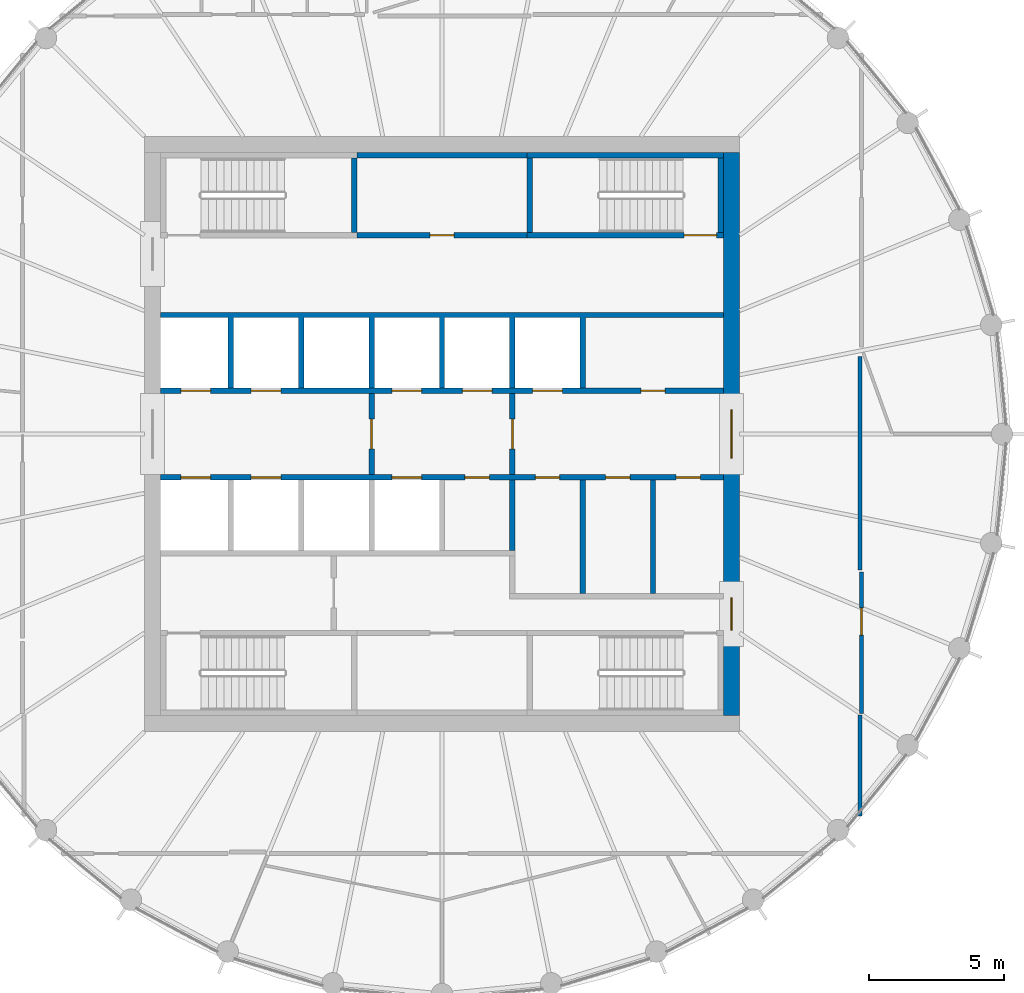
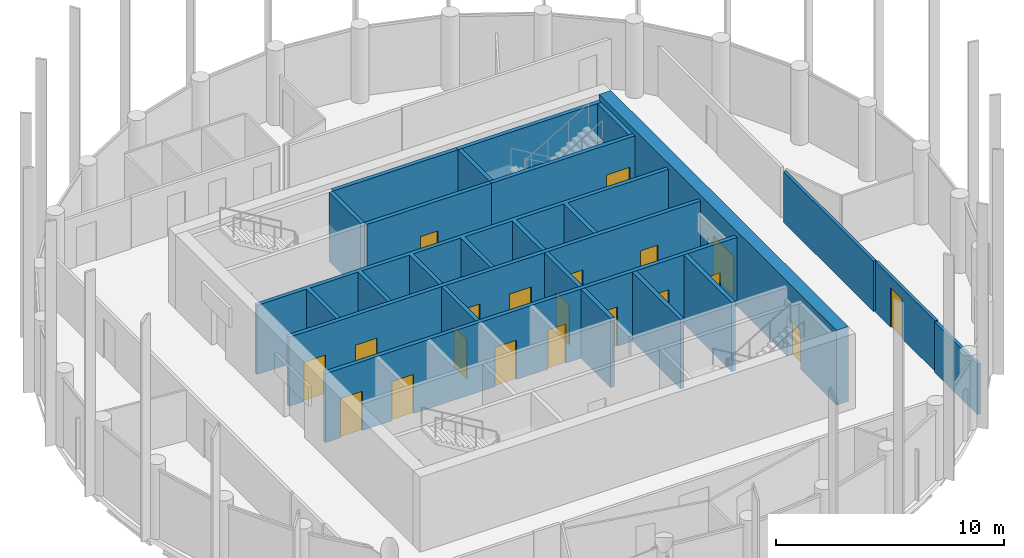
# One storey, part 5 of 7: 20 doors, 19 walls, 20 openings.
"""IFC4 building model written with IfcOpenShell, lengths in metres."""

from ifc_helpers import new_model, si_unit, direction, frame, frame_2d, origin, place, context, subcontext, project, spatial, polyline, rectangle, outline, extrude, material, layer, layer_set, type_object, element, fill, save


model = new_model("IFC4")

# Units and contexts
model_context = context("Model", 3, precision=1e-05, world=origin(), true_north=direction((0.0, 1.0)))
body_context = subcontext(model_context, "Body", "Model", "MODEL_VIEW")
ifc_project = project(units=[si_unit("LENGTHUNIT", "METRE"), si_unit("AREAUNIT", "SQUARE_METRE"), si_unit("VOLUMEUNIT", "CUBIC_METRE"), si_unit("PLANEANGLEUNIT", "RADIAN"), si_unit("MASSUNIT", "GRAM", prefix="KILO")], contexts=[model_context])

# Site, building, storey
site_placement = place(None, origin())
site = spatial("IfcSite", under=ifc_project, at=site_placement, CompositionType="ELEMENT")
building_placement = place(site_placement, origin())
building = spatial("IfcBuilding", under=site, at=building_placement, Name="Corvane Civic Tower", CompositionType="ELEMENT")
storey_placement = place(building_placement, frame((0.0, 0.0, 368.5)))
storey = spatial("IfcBuildingStorey", under=building, at=storey_placement, Name="L88", CompositionType="ELEMENT", Elevation=368.5)

# Wall, openings, doors
ifc_material_1 = material(Name="Concrete C40/50", Category="concrete")
ifc_layer_1 = layer(ifc_material_1, 0.60009765625)
ifc_layer_set_1 = layer_set([ifc_layer_1], Name="Concrete C40/50")
wall_type_1 = type_object("IfcWallType", Name="CORE WALL 600 C40/50", PredefinedType="SHEAR", material=ifc_layer_set_1)
wall_1_placement = place(storey_placement, frame((10.699951171875, -10.39990234375, 0.0), z_axis=(0.0, 0.0, 1.0), x_axis=(0.0, 1.0, 0.0)))
wall_1 = element("IfcWall", 1, at=wall_1_placement, inside=storey, type_object=wall_type_1, Name="W-L88-core-E", PredefinedType="SHEAR", context=body_context, shape_type="SweptSolid", body=[
    extrude(rectangle(XDim=20.7998046875, YDim=0.60009765625, at=frame_2d((10.39990234375, 0.0))), origin(), (0.0, 0.0, 1.0), 4.0),
])
opening_1_placement = place(wall_1_placement, frame((9.5, 0.0, 0.0)))
opening_1 = element("IfcOpeningElement", 2, at=opening_1_placement, cuts=wall_1, Name="Opening L88.C16", PredefinedType="OPENING", context=body_context, shape_type="SweptSolid", body=[
    extrude(rectangle(XDim=1.800048828125, YDim=2.10009765625, at=frame_2d((0.89990234375, 1.050048828125))), frame((0.0, 0.31005859375, 0.0), z_axis=(0.0, -1.0, 0.0), x_axis=(1.0, 0.0, 0.0)), (0.0, 0.0, 1.0), 0.6201171875),
])
opening_2_placement = place(wall_1_placement, frame((3.14990234375, 0.0, 0.0)))
opening_2 = element("IfcOpeningElement", 3, at=opening_2_placement, cuts=wall_1, Name="Opening L88.C18", PredefinedType="OPENING", context=body_context, shape_type="SweptSolid", body=[
    extrude(rectangle(XDim=1.199951171875, YDim=2.10009765625, at=frame_2d((0.60009765625, 1.050048828125))), frame((0.0, 0.31005859375, 0.0), z_axis=(0.0, -1.0, 0.0), x_axis=(1.0, 0.0, 0.0)), (0.0, 0.0, 1.0), 0.6201171875),
])
ifc_material_2 = material(Name="Steel fire door leaf", Category="steel")
door_type_1 = type_object("IfcDoorType", Name="CR-DOOR-CORE-1800", OperationType="DOUBLE_DOOR_SINGLE_SWING", PredefinedType="DOOR", material=ifc_material_2)
door_1_placement = place(opening_1_placement, origin())
door_1 = element("IfcDoor", 4, at=door_1_placement, inside=storey, type_object=door_type_1, Name="L88 door", OperationType="DOUBLE_DOOR_SINGLE_SWING", OverallHeight=2.10009765625, OverallWidth=1.800048828125, PredefinedType="DOOR", context=body_context, shape_type="SweptSolid", body=[
    extrude(rectangle(XDim=1.800048828125, YDim=2.10009765625, at=frame_2d((0.89990234375, 1.050048828125))), frame((0.0, 0.02490234375, 0.0), z_axis=(0.0, -1.0, 0.0), x_axis=(1.0, 0.0, 0.0)), (0.0, 0.0, 1.0), 0.050048828125),
])
fill(opening_1, door_1)
door_2_placement = place(opening_2_placement, origin())
door_2 = element("IfcDoor", 5, at=door_2_placement, inside=storey, type_object=door_type_1, Name="L88 door", OperationType="DOUBLE_DOOR_SINGLE_SWING", OverallHeight=2.10009765625, OverallWidth=1.199951171875, PredefinedType="DOOR", context=body_context, shape_type="SweptSolid", body=[
    extrude(rectangle(XDim=1.199951171875, YDim=2.10009765625, at=frame_2d((0.60009765625, 1.050048828125))), frame((0.0, 0.02490234375, 0.0), z_axis=(0.0, -1.0, 0.0), x_axis=(1.0, 0.0, 0.0)), (0.0, 0.0, 1.0), 0.050048828125),
])
fill(opening_2, door_2)

ifc_material_3 = material(Name="Concrete C30/37", Category="concrete")
ifc_layer_2 = layer(ifc_material_3, 0.199951171875)
ifc_layer_set_2 = layer_set([ifc_layer_2], Name="Concrete C30/37")
wall_type_2 = type_object("IfcWallType", Name="CR-WALL-200", PredefinedType="PARTITIONING", material=ifc_layer_set_2)
wall_2_placement = place(storey_placement, frame((-10.39990234375, -1.60009765625, 0.0), z_axis=(0.0, 0.0, 1.0), x_axis=(1.0, 0.0, 0.0)))
wall_2 = element("IfcWall", 6, at=wall_2_placement, inside=storey, type_object=wall_type_2, Name="L88 lift shaft wall", PredefinedType="PARTITIONING", context=body_context, shape_type="SweptSolid", body=[
    extrude(rectangle(XDim=20.7998046875, YDim=0.199951171875, at=frame_2d((10.39990234375, 0.0))), origin(), (0.0, 0.0, 1.0), 3.699951171875),
])
opening_3_placement = place(wall_2_placement, frame((0.75, 0.0, 0.0)))
opening_3 = element("IfcOpeningElement", 7, at=opening_3_placement, cuts=wall_2, Name="Opening LD", PredefinedType="OPENING", context=body_context, shape_type="SweptSolid", body=[
    extrude(rectangle(XDim=1.10009765625, YDim=2.10009765625, at=frame_2d((0.550048828125, 1.050048828125))), frame((0.0, 0.10986328125, 0.0), z_axis=(0.0, -1.0, 0.0), x_axis=(1.0, 0.0, 0.0)), (0.0, 0.0, 1.0), 0.219970703125),
])
opening_4_placement = place(wall_2_placement, frame((3.35009765625, 0.0, 0.0)))
opening_4 = element("IfcOpeningElement", 8, at=opening_4_placement, cuts=wall_2, Name="Opening LD", PredefinedType="OPENING", context=body_context, shape_type="SweptSolid", body=[
    extrude(rectangle(XDim=1.10009765625, YDim=2.10009765625, at=frame_2d((0.550048828125, 1.050048828125))), frame((0.0, 0.10986328125, 0.0), z_axis=(0.0, -1.0, 0.0), x_axis=(1.0, 0.0, 0.0)), (0.0, 0.0, 1.0), 0.219970703125),
])
opening_5_placement = place(wall_2_placement, frame((8.550048828125, 0.0, 0.0)))
opening_5 = element("IfcOpeningElement", 9, at=opening_5_placement, cuts=wall_2, Name="Opening LD", PredefinedType="OPENING", context=body_context, shape_type="SweptSolid", body=[
    extrude(rectangle(XDim=1.10009765625, YDim=2.10009765625, at=frame_2d((0.550048828125, 1.050048828125))), frame((0.0, 0.10986328125, 0.0), z_axis=(0.0, -1.0, 0.0), x_axis=(1.0, 0.0, 0.0)), (0.0, 0.0, 1.0), 0.219970703125),
])
opening_6_placement = place(wall_2_placement, frame((11.25, 0.0, 0.0)))
opening_6 = element("IfcOpeningElement", 10, at=opening_6_placement, cuts=wall_2, Name="Opening L88.C02", PredefinedType="OPENING", context=body_context, shape_type="SweptSolid", body=[
    extrude(rectangle(XDim=0.89990234375, YDim=2.10009765625, at=frame_2d((0.449951171875, 1.050048828125))), frame((0.0, 0.10986328125, 0.0), z_axis=(0.0, -1.0, 0.0), x_axis=(1.0, 0.0, 0.0)), (0.0, 0.0, 1.0), 0.219970703125),
])
opening_7_placement = place(wall_2_placement, frame((13.85009765625, 0.0, 0.0)))
opening_7 = element("IfcOpeningElement", 11, at=opening_7_placement, cuts=wall_2, Name="Opening L88.C03", PredefinedType="OPENING", context=body_context, shape_type="SweptSolid", body=[
    extrude(rectangle(XDim=0.89990234375, YDim=2.10009765625, at=frame_2d((0.449951171875, 1.050048828125))), frame((0.0, 0.10986328125, 0.0), z_axis=(0.0, -1.0, 0.0), x_axis=(1.0, 0.0, 0.0)), (0.0, 0.0, 1.0), 0.219970703125),
])
opening_8_placement = place(wall_2_placement, frame((16.449951171875, 0.0, 0.0)))
opening_8 = element("IfcOpeningElement", 12, at=opening_8_placement, cuts=wall_2, Name="Opening L88.C04", PredefinedType="OPENING", context=body_context, shape_type="SweptSolid", body=[
    extrude(rectangle(XDim=0.89990234375, YDim=2.10009765625, at=frame_2d((0.449951171875, 1.050048828125))), frame((0.0, 0.10986328125, 0.0), z_axis=(0.0, -1.0, 0.0), x_axis=(1.0, 0.0, 0.0)), (0.0, 0.0, 1.0), 0.219970703125),
])
opening_9_placement = place(wall_2_placement, frame((19.050048828125, 0.0, 0.0)))
opening_9 = element("IfcOpeningElement", 13, at=opening_9_placement, cuts=wall_2, Name="Opening L88.C05", PredefinedType="OPENING", context=body_context, shape_type="SweptSolid", body=[
    extrude(rectangle(XDim=0.89990234375, YDim=2.10009765625, at=frame_2d((0.449951171875, 1.050048828125))), frame((0.0, 0.10986328125, 0.0), z_axis=(0.0, -1.0, 0.0), x_axis=(1.0, 0.0, 0.0)), (0.0, 0.0, 1.0), 0.219970703125),
])
ifc_material_4 = material(Name="Steel fire door leaf", Category="steel")
door_type_2 = type_object("IfcDoorType", Name="CR-DOOR-900", OperationType="SINGLE_SWING_LEFT", PredefinedType="DOOR", material=ifc_material_4)
door_3_placement = place(opening_6_placement, origin())
door_3 = element("IfcDoor", 14, at=door_3_placement, inside=storey, type_object=door_type_2, Name="L88 door", OperationType="SINGLE_SWING_LEFT", OverallHeight=2.10009765625, OverallWidth=0.89990234375, PredefinedType="DOOR", context=body_context, shape_type="SweptSolid", body=[
    extrude(rectangle(XDim=0.89990234375, YDim=2.10009765625, at=frame_2d((0.449951171875, 1.050048828125))), frame((0.0, 0.02490234375, 0.0), z_axis=(0.0, -1.0, 0.0), x_axis=(1.0, 0.0, 0.0)), (0.0, 0.0, 1.0), 0.050048828125),
])
fill(opening_6, door_3)
door_4_placement = place(opening_7_placement, origin())
door_4 = element("IfcDoor", 15, at=door_4_placement, inside=storey, type_object=door_type_2, Name="L88 door", OperationType="SINGLE_SWING_LEFT", OverallHeight=2.10009765625, OverallWidth=0.89990234375, PredefinedType="DOOR", context=body_context, shape_type="SweptSolid", body=[
    extrude(rectangle(XDim=0.89990234375, YDim=2.10009765625, at=frame_2d((0.449951171875, 1.050048828125))), frame((0.0, 0.02490234375, 0.0), z_axis=(0.0, -1.0, 0.0), x_axis=(1.0, 0.0, 0.0)), (0.0, 0.0, 1.0), 0.050048828125),
])
fill(opening_7, door_4)
door_5_placement = place(opening_8_placement, origin())
door_5 = element("IfcDoor", 16, at=door_5_placement, inside=storey, type_object=door_type_2, Name="L88 door", OperationType="SINGLE_SWING_LEFT", OverallHeight=2.10009765625, OverallWidth=0.89990234375, PredefinedType="DOOR", context=body_context, shape_type="SweptSolid", body=[
    extrude(rectangle(XDim=0.89990234375, YDim=2.10009765625, at=frame_2d((0.449951171875, 1.050048828125))), frame((0.0, 0.02490234375, 0.0), z_axis=(0.0, -1.0, 0.0), x_axis=(1.0, 0.0, 0.0)), (0.0, 0.0, 1.0), 0.050048828125),
])
fill(opening_8, door_5)
door_6_placement = place(opening_9_placement, origin())
door_6 = element("IfcDoor", 17, at=door_6_placement, inside=storey, type_object=door_type_2, Name="L88 door", OperationType="SINGLE_SWING_LEFT", OverallHeight=2.10009765625, OverallWidth=0.89990234375, PredefinedType="DOOR", context=body_context, shape_type="SweptSolid", body=[
    extrude(rectangle(XDim=0.89990234375, YDim=2.10009765625, at=frame_2d((0.449951171875, 1.050048828125))), frame((0.0, 0.02490234375, 0.0), z_axis=(0.0, -1.0, 0.0), x_axis=(1.0, 0.0, 0.0)), (0.0, 0.0, 1.0), 0.050048828125),
])
fill(opening_9, door_6)
ifc_material_5 = material(Name="Stainless steel 316 door leaves", Category="steel")
door_type_3 = type_object("IfcDoorType", Name="LD", OperationType="DOUBLE_DOOR_SLIDING", PredefinedType="DOOR", material=ifc_material_5)
door_7_placement = place(opening_3_placement, origin())
door_7 = element("IfcDoor", 18, at=door_7_placement, inside=storey, type_object=door_type_3, Name="L88 landing door", OperationType="DOUBLE_DOOR_SLIDING", OverallHeight=2.10009765625, OverallWidth=1.10009765625, PredefinedType="DOOR", context=body_context, shape_type="SweptSolid", body=[
    extrude(rectangle(XDim=1.10009765625, YDim=2.10009765625, at=frame_2d((0.550048828125, 1.050048828125))), frame((0.0, 0.02490234375, 0.0), z_axis=(0.0, -1.0, 0.0), x_axis=(1.0, 0.0, 0.0)), (0.0, 0.0, 1.0), 0.050048828125),
])
fill(opening_3, door_7)
door_8_placement = place(opening_4_placement, origin())
door_8 = element("IfcDoor", 19, at=door_8_placement, inside=storey, type_object=door_type_3, Name="L88 landing door", OperationType="DOUBLE_DOOR_SLIDING", OverallHeight=2.10009765625, OverallWidth=1.10009765625, PredefinedType="DOOR", context=body_context, shape_type="SweptSolid", body=[
    extrude(rectangle(XDim=1.10009765625, YDim=2.10009765625, at=frame_2d((0.550048828125, 1.050048828125))), frame((0.0, 0.02490234375, 0.0), z_axis=(0.0, -1.0, 0.0), x_axis=(1.0, 0.0, 0.0)), (0.0, 0.0, 1.0), 0.050048828125),
])
fill(opening_4, door_8)
door_9_placement = place(opening_5_placement, origin())
door_9 = element("IfcDoor", 20, at=door_9_placement, inside=storey, type_object=door_type_3, Name="L88 landing door", OperationType="DOUBLE_DOOR_SLIDING", OverallHeight=2.10009765625, OverallWidth=1.10009765625, PredefinedType="DOOR", context=body_context, shape_type="SweptSolid", body=[
    extrude(rectangle(XDim=1.10009765625, YDim=2.10009765625, at=frame_2d((0.550048828125, 1.050048828125))), frame((0.0, 0.02490234375, 0.0), z_axis=(0.0, -1.0, 0.0), x_axis=(1.0, 0.0, 0.0)), (0.0, 0.0, 1.0), 0.050048828125),
])
fill(opening_5, door_9)

wall_3_placement = place(storey_placement, frame((-10.39990234375, 1.60009765625, 0.0), z_axis=(0.0, 0.0, 1.0), x_axis=(1.0, 0.0, 0.0)))
wall_3 = element("IfcWall", 21, at=wall_3_placement, inside=storey, type_object=wall_type_2, Name="L88 lift shaft wall", PredefinedType="PARTITIONING", context=body_context, shape_type="SweptSolid", body=[
    extrude(rectangle(XDim=20.7998046875, YDim=0.199951171875, at=frame_2d((10.39990234375, 0.0))), origin(), (0.0, 0.0, 1.0), 3.699951171875),
])
opening_10_placement = place(wall_3_placement, frame((0.75, 0.0, 0.0)))
opening_10 = element("IfcOpeningElement", 22, at=opening_10_placement, cuts=wall_3, Name="Opening LD", PredefinedType="OPENING", context=body_context, shape_type="SweptSolid", body=[
    extrude(rectangle(XDim=1.10009765625, YDim=2.10009765625, at=frame_2d((0.550048828125, 1.050048828125))), frame((0.0, 0.10986328125, 0.0), z_axis=(0.0, -1.0, 0.0), x_axis=(1.0, 0.0, 0.0)), (0.0, 0.0, 1.0), 0.219970703125),
])
opening_11_placement = place(wall_3_placement, frame((3.35009765625, 0.0, 0.0)))
opening_11 = element("IfcOpeningElement", 23, at=opening_11_placement, cuts=wall_3, Name="Opening LD", PredefinedType="OPENING", context=body_context, shape_type="SweptSolid", body=[
    extrude(rectangle(XDim=1.10009765625, YDim=2.10009765625, at=frame_2d((0.550048828125, 1.050048828125))), frame((0.0, 0.10986328125, 0.0), z_axis=(0.0, -1.0, 0.0), x_axis=(1.0, 0.0, 0.0)), (0.0, 0.0, 1.0), 0.219970703125),
])
opening_12_placement = place(wall_3_placement, frame((8.550048828125, 0.0, 0.0)))
opening_12 = element("IfcOpeningElement", 24, at=opening_12_placement, cuts=wall_3, Name="Opening LD", PredefinedType="OPENING", context=body_context, shape_type="SweptSolid", body=[
    extrude(rectangle(XDim=1.10009765625, YDim=2.10009765625, at=frame_2d((0.550048828125, 1.050048828125))), frame((0.0, 0.10986328125, 0.0), z_axis=(0.0, -1.0, 0.0), x_axis=(1.0, 0.0, 0.0)), (0.0, 0.0, 1.0), 0.219970703125),
])
opening_13_placement = place(wall_3_placement, frame((11.14990234375, 0.0, 0.0)))
opening_13 = element("IfcOpeningElement", 25, at=opening_13_placement, cuts=wall_3, Name="Opening LD", PredefinedType="OPENING", context=body_context, shape_type="SweptSolid", body=[
    extrude(rectangle(XDim=1.10009765625, YDim=2.10009765625, at=frame_2d((0.550048828125, 1.050048828125))), frame((0.0, 0.10986328125, 0.0), z_axis=(0.0, -1.0, 0.0), x_axis=(1.0, 0.0, 0.0)), (0.0, 0.0, 1.0), 0.219970703125),
])
opening_14_placement = place(wall_3_placement, frame((13.75, 0.0, 0.0)))
opening_14 = element("IfcOpeningElement", 26, at=opening_14_placement, cuts=wall_3, Name="Opening LD", PredefinedType="OPENING", context=body_context, shape_type="SweptSolid", body=[
    extrude(rectangle(XDim=1.10009765625, YDim=2.10009765625, at=frame_2d((0.550048828125, 1.050048828125))), frame((0.0, 0.10986328125, 0.0), z_axis=(0.0, -1.0, 0.0), x_axis=(1.0, 0.0, 0.0)), (0.0, 0.0, 1.0), 0.219970703125),
])
opening_15_placement = place(wall_3_placement, frame((17.75, 0.0, 0.0)))
opening_15 = element("IfcOpeningElement", 27, at=opening_15_placement, cuts=wall_3, Name="Opening L88.C01", PredefinedType="OPENING", context=body_context, shape_type="SweptSolid", body=[
    extrude(rectangle(XDim=0.89990234375, YDim=2.10009765625, at=frame_2d((0.449951171875, 1.050048828125))), frame((0.0, 0.10986328125, 0.0), z_axis=(0.0, -1.0, 0.0), x_axis=(1.0, 0.0, 0.0)), (0.0, 0.0, 1.0), 0.219970703125),
])
door_10_placement = place(opening_15_placement, origin())
door_10 = element("IfcDoor", 28, at=door_10_placement, inside=storey, type_object=door_type_2, Name="L88 door", OperationType="SINGLE_SWING_LEFT", OverallHeight=2.10009765625, OverallWidth=0.89990234375, PredefinedType="DOOR", context=body_context, shape_type="SweptSolid", body=[
    extrude(rectangle(XDim=0.89990234375, YDim=2.10009765625, at=frame_2d((0.449951171875, 1.050048828125))), frame((0.0, 0.02490234375, 0.0), z_axis=(0.0, -1.0, 0.0), x_axis=(1.0, 0.0, 0.0)), (0.0, 0.0, 1.0), 0.050048828125),
])
fill(opening_15, door_10)
door_11_placement = place(opening_10_placement, origin())
door_11 = element("IfcDoor", 29, at=door_11_placement, inside=storey, type_object=door_type_3, Name="L88 landing door", OperationType="DOUBLE_DOOR_SLIDING", OverallHeight=2.10009765625, OverallWidth=1.10009765625, PredefinedType="DOOR", context=body_context, shape_type="SweptSolid", body=[
    extrude(rectangle(XDim=1.10009765625, YDim=2.10009765625, at=frame_2d((0.550048828125, 1.050048828125))), frame((0.0, 0.02490234375, 0.0), z_axis=(0.0, -1.0, 0.0), x_axis=(1.0, 0.0, 0.0)), (0.0, 0.0, 1.0), 0.050048828125),
])
fill(opening_10, door_11)
door_12_placement = place(opening_11_placement, origin())
door_12 = element("IfcDoor", 30, at=door_12_placement, inside=storey, type_object=door_type_3, Name="L88 landing door", OperationType="DOUBLE_DOOR_SLIDING", OverallHeight=2.10009765625, OverallWidth=1.10009765625, PredefinedType="DOOR", context=body_context, shape_type="SweptSolid", body=[
    extrude(rectangle(XDim=1.10009765625, YDim=2.10009765625, at=frame_2d((0.550048828125, 1.050048828125))), frame((0.0, 0.02490234375, 0.0), z_axis=(0.0, -1.0, 0.0), x_axis=(1.0, 0.0, 0.0)), (0.0, 0.0, 1.0), 0.050048828125),
])
fill(opening_11, door_12)
door_13_placement = place(opening_12_placement, origin())
door_13 = element("IfcDoor", 31, at=door_13_placement, inside=storey, type_object=door_type_3, Name="L88 landing door", OperationType="DOUBLE_DOOR_SLIDING", OverallHeight=2.10009765625, OverallWidth=1.10009765625, PredefinedType="DOOR", context=body_context, shape_type="SweptSolid", body=[
    extrude(rectangle(XDim=1.10009765625, YDim=2.10009765625, at=frame_2d((0.550048828125, 1.050048828125))), frame((0.0, 0.02490234375, 0.0), z_axis=(0.0, -1.0, 0.0), x_axis=(1.0, 0.0, 0.0)), (0.0, 0.0, 1.0), 0.050048828125),
])
fill(opening_12, door_13)
door_14_placement = place(opening_13_placement, origin())
door_14 = element("IfcDoor", 32, at=door_14_placement, inside=storey, type_object=door_type_3, Name="L88 landing door", OperationType="DOUBLE_DOOR_SLIDING", OverallHeight=2.10009765625, OverallWidth=1.10009765625, PredefinedType="DOOR", context=body_context, shape_type="SweptSolid", body=[
    extrude(rectangle(XDim=1.10009765625, YDim=2.10009765625, at=frame_2d((0.550048828125, 1.050048828125))), frame((0.0, 0.02490234375, 0.0), z_axis=(0.0, -1.0, 0.0), x_axis=(1.0, 0.0, 0.0)), (0.0, 0.0, 1.0), 0.050048828125),
])
fill(opening_13, door_14)
door_15_placement = place(opening_14_placement, origin())
door_15 = element("IfcDoor", 33, at=door_15_placement, inside=storey, type_object=door_type_3, Name="L88 landing door", OperationType="DOUBLE_DOOR_SLIDING", OverallHeight=2.10009765625, OverallWidth=1.10009765625, PredefinedType="DOOR", context=body_context, shape_type="SweptSolid", body=[
    extrude(rectangle(XDim=1.10009765625, YDim=2.10009765625, at=frame_2d((0.550048828125, 1.050048828125))), frame((0.0, 0.02490234375, 0.0), z_axis=(0.0, -1.0, 0.0), x_axis=(1.0, 0.0, 0.0)), (0.0, 0.0, 1.0), 0.050048828125),
])
fill(opening_14, door_15)

# Wall, opening, door
wall_4_placement = place(storey_placement, frame((-3.14990234375, 7.35009765625, 0.0), z_axis=(0.0, 0.0, 1.0), x_axis=(1.0, 0.0, 0.0)))
wall_4 = element("IfcWall", 34, at=wall_4_placement, inside=storey, type_object=wall_type_2, Name="L88 core partition wall", PredefinedType="PARTITIONING", context=body_context, shape_type="SweptSolid", body=[
    extrude(rectangle(XDim=6.2998046875, YDim=0.199951171875, at=frame_2d((3.14990234375, 0.0))), origin(), (0.0, 0.0, 1.0), 3.699951171875),
])
opening_16_placement = place(wall_4_placement, frame((2.699951171875, 0.0, 0.0)))
opening_16 = element("IfcOpeningElement", 35, at=opening_16_placement, cuts=wall_4, Name="Opening L88.C06", PredefinedType="OPENING", context=body_context, shape_type="SweptSolid", body=[
    extrude(rectangle(XDim=0.89990234375, YDim=2.10009765625, at=frame_2d((0.449951171875, 1.050048828125))), frame((0.0, 0.10986328125, 0.0), z_axis=(0.0, -1.0, 0.0), x_axis=(1.0, 0.0, 0.0)), (0.0, 0.0, 1.0), 0.219970703125),
])
door_16_placement = place(opening_16_placement, origin())
door_16 = element("IfcDoor", 36, at=door_16_placement, inside=storey, type_object=door_type_2, Name="L88 door", OperationType="SINGLE_SWING_LEFT", OverallHeight=2.10009765625, OverallWidth=0.89990234375, PredefinedType="DOOR", context=body_context, shape_type="SweptSolid", body=[
    extrude(rectangle(XDim=0.89990234375, YDim=2.10009765625, at=frame_2d((0.449951171875, 1.050048828125))), frame((0.0, 0.02490234375, 0.0), z_axis=(0.0, -1.0, 0.0), x_axis=(1.0, 0.0, 0.0)), (0.0, 0.0, 1.0), 0.050048828125),
])
fill(opening_16, door_16)

wall_5_placement = place(storey_placement, frame((-2.60009765625, -1.5, 0.0), z_axis=(0.0, 0.0, 1.0), x_axis=(0.0, 1.0, 0.0)))
wall_5 = element("IfcWall", 37, at=wall_5_placement, inside=storey, type_object=wall_type_2, Name="L88 firefighting lobby wall", PredefinedType="PARTITIONING", context=body_context, shape_type="SweptSolid", body=[
    extrude(rectangle(XDim=3.0, YDim=0.199951171875, at=frame_2d((1.5, 0.0))), origin(), (0.0, 0.0, 1.0), 3.699951171875),
])
opening_17_placement = place(wall_5_placement, frame((0.949951171875, 0.0, 0.0)))
opening_17 = element("IfcOpeningElement", 38, at=opening_17_placement, cuts=wall_5, Name="Opening L88.C12", PredefinedType="OPENING", context=body_context, shape_type="SweptSolid", body=[
    extrude(rectangle(XDim=1.10009765625, YDim=2.10009765625, at=frame_2d((0.550048828125, 1.050048828125))), frame((0.0, 0.10986328125, 0.0), z_axis=(0.0, -1.0, 0.0), x_axis=(1.0, 0.0, 0.0)), (0.0, 0.0, 1.0), 0.219970703125),
])
ifc_material_6 = material(Name="Steel fire door leaf", Category="steel")
door_type_4 = type_object("IfcDoorType", Name="CR-DOOR-FFL-1100", OperationType="SINGLE_SWING_LEFT", PredefinedType="DOOR", material=ifc_material_6)
door_17_placement = place(opening_17_placement, origin())
door_17 = element("IfcDoor", 39, at=door_17_placement, inside=storey, type_object=door_type_4, Name="L88 lobby door", OperationType="SINGLE_SWING_LEFT", OverallHeight=2.10009765625, OverallWidth=1.10009765625, PredefinedType="DOOR", context=body_context, shape_type="SweptSolid", body=[
    extrude(rectangle(XDim=1.10009765625, YDim=2.10009765625, at=frame_2d((0.550048828125, 1.050048828125))), frame((0.0, 0.02490234375, 0.0), z_axis=(0.0, -1.0, 0.0), x_axis=(1.0, 0.0, 0.0)), (0.0, 0.0, 1.0), 0.050048828125),
])
fill(opening_17, door_17)

wall_6_placement = place(storey_placement, frame((2.60009765625, -1.5, 0.0), z_axis=(0.0, 0.0, 1.0), x_axis=(0.0, 1.0, 0.0)))
wall_6 = element("IfcWall", 40, at=wall_6_placement, inside=storey, type_object=wall_type_2, Name="L88 firefighting lobby wall", PredefinedType="PARTITIONING", context=body_context, shape_type="SweptSolid", body=[
    extrude(rectangle(XDim=3.0, YDim=0.199951171875, at=frame_2d((1.5, 0.0))), origin(), (0.0, 0.0, 1.0), 3.699951171875),
])
opening_18_placement = place(wall_6_placement, frame((0.949951171875, 0.0, 0.0)))
opening_18 = element("IfcOpeningElement", 41, at=opening_18_placement, cuts=wall_6, Name="Opening L88.C13", PredefinedType="OPENING", context=body_context, shape_type="SweptSolid", body=[
    extrude(rectangle(XDim=1.10009765625, YDim=2.10009765625, at=frame_2d((0.550048828125, 1.050048828125))), frame((0.0, 0.10986328125, 0.0), z_axis=(0.0, -1.0, 0.0), x_axis=(1.0, 0.0, 0.0)), (0.0, 0.0, 1.0), 0.219970703125),
])
door_18_placement = place(opening_18_placement, origin())
door_18 = element("IfcDoor", 42, at=door_18_placement, inside=storey, type_object=door_type_4, Name="L88 lobby door", OperationType="SINGLE_SWING_LEFT", OverallHeight=2.10009765625, OverallWidth=1.10009765625, PredefinedType="DOOR", context=body_context, shape_type="SweptSolid", body=[
    extrude(rectangle(XDim=1.10009765625, YDim=2.10009765625, at=frame_2d((0.550048828125, 1.050048828125))), frame((0.0, 0.02490234375, 0.0), z_axis=(0.0, -1.0, 0.0), x_axis=(1.0, 0.0, 0.0)), (0.0, 0.0, 1.0), 0.050048828125),
])
fill(opening_18, door_18)

# Walls
wall_7_placement = place(storey_placement, origin())
element("IfcWall", 43, at=wall_7_placement, inside=storey, type_object=wall_type_2, Name="L88 core partition wall", PredefinedType="PARTITIONING", context=body_context, shape_type="SweptSolid", body=[
    extrude(outline(polyline([(5.300048828125, -1.699951171875), (5.300048828125, -5.89990234375), (5.10009765625, -5.89990234375), (5.10009765625, -1.699951171875), (5.300048828125, -1.699951171875)])), origin(), (0.0, 0.0, 1.0), 3.699951171875),
])
wall_8_placement = place(storey_placement, origin())
element("IfcWall", 44, at=wall_8_placement, inside=storey, type_object=wall_type_2, Name="L88 core partition wall", PredefinedType="PARTITIONING", context=body_context, shape_type="SweptSolid", body=[
    extrude(outline(polyline([(7.89990234375, -1.699951171875), (7.89990234375, -5.89990234375), (7.699951171875, -5.89990234375), (7.699951171875, -1.699951171875), (7.89990234375, -1.699951171875)])), origin(), (0.0, 0.0, 1.0), 3.699951171875),
])
wall_9_placement = place(storey_placement, origin())
element("IfcWall", 45, at=wall_9_placement, inside=storey, type_object=wall_type_2, Name="L88 core partition wall", PredefinedType="PARTITIONING", context=body_context, shape_type="SweptSolid", body=[
    extrude(outline(polyline([(2.699951171875, -1.699951171875), (2.699951171875, -4.2998046875), (2.5, -4.2998046875), (2.5, -1.699951171875), (2.699951171875, -1.699951171875)])), origin(), (0.0, 0.0, 1.0), 3.699951171875),
])
wall_10_placement = place(storey_placement, origin())
element("IfcWall", 46, at=wall_10_placement, inside=storey, type_object=wall_type_2, Name="L88 core partition wall", PredefinedType="PARTITIONING", context=body_context, shape_type="SweptSolid", body=[
    extrude(outline(polyline([(-7.699951171875, 1.699951171875), (-7.89990234375, 1.699951171875), (-7.89990234375, 4.300048828125), (-10.39990234375, 4.300048828125), (-10.39990234375, 4.5), (10.39990234375, 4.5), (10.39990234375, 4.300048828125), (5.300048828125, 4.300048828125), (5.300048828125, 1.699951171875), (5.10009765625, 1.699951171875), (5.10009765625, 4.300048828125), (2.699951171875, 4.300048828125), (2.699951171875, 1.699951171875), (2.5, 1.699951171875), (2.5, 4.300048828125), (0.10009765625, 4.300048828125), (0.10009765625, 1.699951171875), (-0.10009765625, 1.699951171875), (-0.10009765625, 4.300048828125), (-2.5, 4.300048828125), (-2.5, 1.699951171875), (-2.699951171875, 1.699951171875), (-2.699951171875, 4.300048828125), (-5.10009765625, 4.300048828125), (-5.10009765625, 1.699951171875), (-5.300048828125, 1.699951171875), (-5.300048828125, 4.300048828125), (-7.699951171875, 4.300048828125), (-7.699951171875, 1.699951171875)])), origin(), (0.0, 0.0, 1.0), 3.699951171875),
])
wall_11_placement = place(storey_placement, origin())
element("IfcWall", 47, at=wall_11_placement, inside=storey, type_object=wall_type_2, Name="L88 core partition wall", PredefinedType="PARTITIONING", context=body_context, shape_type="SweptSolid", body=[
    extrude(outline(polyline([(3.14990234375, 10.199951171875), (-3.14990234375, 10.199951171875), (-3.14990234375, 10.39990234375), (3.14990234375, 10.39990234375), (3.14990234375, 10.199951171875)])), origin(), (0.0, 0.0, 1.0), 3.699951171875),
])

# Wall, opening, door
ifc_material_7 = material(Name="Concrete C50/60", Category="concrete")
ifc_layer_3 = layer(ifc_material_7, 0.199951171875)
ifc_layer_set_3 = layer_set([ifc_layer_3], Name="Concrete C50/60")
wall_type_3 = type_object("IfcWallType", Name="ST-WALL-200", PredefinedType="SHEAR", material=ifc_layer_set_3)
wall_12_placement = place(storey_placement, frame((3.14990234375, 7.35009765625, 0.0), z_axis=(0.0, 0.0, 1.0), x_axis=(1.0, 0.0, 0.0)))
wall_12 = element("IfcWall", 48, at=wall_12_placement, inside=storey, type_object=wall_type_3, Name="L88 stair enclosure wall", PredefinedType="SHEAR", context=body_context, shape_type="SweptSolid", body=[
    extrude(rectangle(XDim=7.25, YDim=0.199951171875, at=frame_2d((3.625, 0.0))), origin(), (0.0, 0.0, 1.0), 3.699951171875),
])
opening_19_placement = place(wall_12_placement, frame((5.800048828125, 0.0, 0.0)))
opening_19 = element("IfcOpeningElement", 49, at=opening_19_placement, cuts=wall_12, Name="Opening L88.C08", PredefinedType="OPENING", context=body_context, shape_type="SweptSolid", body=[
    extrude(rectangle(XDim=1.199951171875, YDim=2.10009765625, at=frame_2d((0.60009765625, 1.050048828125))), frame((0.0, 0.10986328125, 0.0), z_axis=(0.0, -1.0, 0.0), x_axis=(1.0, 0.0, 0.0)), (0.0, 0.0, 1.0), 0.219970703125),
])
ifc_material_8 = material(Name="Steel fire door leaf", Category="steel")
door_type_5 = type_object("IfcDoorType", Name="ST-DOOR-1200", OperationType="SINGLE_SWING_RIGHT", PredefinedType="DOOR", material=ifc_material_8)
door_19_placement = place(opening_19_placement, origin())
door_19 = element("IfcDoor", 50, at=door_19_placement, inside=storey, type_object=door_type_5, Name="L88 stair door", OperationType="SINGLE_SWING_RIGHT", OverallHeight=2.10009765625, OverallWidth=1.199951171875, PredefinedType="DOOR", context=body_context, shape_type="SweptSolid", body=[
    extrude(rectangle(XDim=1.199951171875, YDim=2.10009765625, at=frame_2d((0.60009765625, 1.050048828125))), frame((0.0, 0.02490234375, 0.0), z_axis=(0.0, -1.0, 0.0), x_axis=(1.0, 0.0, 0.0)), (0.0, 0.0, 1.0), 0.050048828125),
])
fill(opening_19, door_19)

# Walls
wall_13_placement = place(storey_placement, origin())
element("IfcWall", 51, at=wall_13_placement, inside=storey, type_object=wall_type_3, Name="L88 stair enclosure wall", PredefinedType="SHEAR", context=body_context, shape_type="SweptSolid", body=[
    extrude(outline(polyline([(10.39990234375, 10.199951171875), (3.14990234375, 10.199951171875), (3.14990234375, 10.39990234375), (10.39990234375, 10.39990234375), (10.39990234375, 10.199951171875)])), origin(), (0.0, 0.0, 1.0), 3.699951171875),
])
wall_14_placement = place(storey_placement, origin())
element("IfcWall", 52, at=wall_14_placement, inside=storey, type_object=wall_type_3, Name="L88 stair enclosure wall", PredefinedType="SHEAR", context=body_context, shape_type="SweptSolid", body=[
    extrude(outline(polyline([(-3.14990234375, 7.449951171875), (-3.35009765625, 7.449951171875), (-3.35009765625, 10.199951171875), (-3.14990234375, 10.199951171875), (-3.14990234375, 7.449951171875)])), origin(), (0.0, 0.0, 1.0), 3.699951171875),
])
wall_15_placement = place(storey_placement, origin())
element("IfcWall", 53, at=wall_15_placement, inside=storey, type_object=wall_type_3, Name="L88 stair enclosure wall", PredefinedType="SHEAR", context=body_context, shape_type="SweptSolid", body=[
    extrude(outline(polyline([(3.35009765625, 7.449951171875), (3.14990234375, 7.449951171875), (3.14990234375, 10.199951171875), (3.35009765625, 10.199951171875), (3.35009765625, 7.449951171875)])), origin(), (0.0, 0.0, 1.0), 3.699951171875),
])
wall_16_placement = place(storey_placement, origin())
element("IfcWall", 54, at=wall_16_placement, inside=storey, type_object=wall_type_3, Name="L88 stair enclosure wall", PredefinedType="SHEAR", context=body_context, shape_type="SweptSolid", body=[
    extrude(outline(polyline([(10.39990234375, 7.449951171875), (10.199951171875, 7.449951171875), (10.199951171875, 10.199951171875), (10.39990234375, 10.199951171875), (10.39990234375, 7.449951171875)])), origin(), (0.0, 0.0, 1.0), 3.699951171875),
])
ifc_material_9 = material(Name="Plasterboard")
ifc_layer_4 = layer(ifc_material_9, 0.14990234375)
ifc_layer_set_4 = layer_set([ifc_layer_4], Name="Plasterboard")
wall_type_4 = type_object("IfcWallType", Name="Tenancy wall 150 EI 60", PredefinedType="PARTITIONING", material=ifc_layer_set_4)
wall_17_placement = place(storey_placement, frame((15.449951171875, -14.1123046875, 0.0), z_axis=(0.0, 0.0, 1.0), x_axis=(0.0, 1.0, 0.0)))
element("IfcWall", 55, at=wall_17_placement, inside=storey, type_object=wall_type_4, Name="Partition L88.011", PredefinedType="PARTITIONING", context=body_context, shape_type="SweptSolid", body=[
    extrude(rectangle(XDim=3.7314453125, YDim=0.14990234375, at=frame_2d((1.86572265625, 0.0))), origin(), (0.0, 0.0, 1.0), 2.699951171875),
])

# Wall, opening, door
wall_18_placement = place(storey_placement, frame((15.5, -10.330810546875, 0.0), z_axis=(0.0, 0.0, 1.0), x_axis=(0.0, 1.0, 0.0)))
wall_18 = element("IfcWall", 56, at=wall_18_placement, inside=storey, type_object=wall_type_4, Name="Partition L88.012", PredefinedType="PARTITIONING", context=body_context, shape_type="SweptSolid", body=[
    extrude(rectangle(XDim=5.23583984375, YDim=0.14990234375, at=frame_2d((2.617919921875, 0.0))), origin(), (0.0, 0.0, 1.0), 2.699951171875),
])
opening_20_placement = place(wall_18_placement, frame((2.904052734375, 0.0, 0.0)))
opening_20 = element("IfcOpeningElement", 57, at=opening_20_placement, cuts=wall_18, Name="Opening L88.011", PredefinedType="OPENING", context=body_context, shape_type="SweptSolid", body=[
    extrude(rectangle(XDim=1.0, YDim=2.10009765625, at=frame_2d((0.5, 1.050048828125))), frame((0.0, 0.0849609375, 0.0), z_axis=(0.0, -1.0, 0.0), x_axis=(1.0, 0.0, 0.0)), (0.0, 0.0, 1.0), 0.169921875),
])
ifc_material_10 = material(Name="Steel and timber", Category="steel")
door_type_6 = type_object("IfcDoorType", Name="Fire door FD30S 1000", OperationType="NOTDEFINED", PredefinedType="DOOR", material=ifc_material_10)
door_20_placement = place(opening_20_placement, frame((1.0, 0.0, 0.0), z_axis=(0.0, 0.0, 1.0), x_axis=(-1.0, 0.0, 0.0)))
door_20 = element("IfcDoor", 58, at=door_20_placement, inside=storey, type_object=door_type_6, Name="Door L88.011", OperationType="SINGLE_SWING_LEFT", OverallHeight=2.10009765625, OverallWidth=1.0, PredefinedType="DOOR", context=body_context, shape_type="SweptSolid", body=[
    extrude(rectangle(XDim=1.0, YDim=2.10009765625, at=frame_2d((0.5, 1.050048828125))), frame((0.0, 0.02490234375, 0.0), z_axis=(0.0, -1.0, 0.0), x_axis=(1.0, 0.0, 0.0)), (0.0, 0.0, 1.0), 0.050048828125),
])
fill(opening_20, door_20)

# Wall
wall_19_placement = place(storey_placement, frame((15.449951171875, -5.02587890625, 0.0), z_axis=(0.0, 0.0, 1.0), x_axis=(0.0, 1.0, 0.0)))
element("IfcWall", 59, at=wall_19_placement, inside=storey, type_object=wall_type_4, Name="Partition L88.015", PredefinedType="PARTITIONING", context=body_context, shape_type="SweptSolid", body=[
    extrude(rectangle(XDim=7.899169921875, YDim=0.14990234375, at=frame_2d((3.94970703125, 0.0))), origin(), (0.0, 0.0, 1.0), 2.699951171875),
])

save(model, "model.ifc")
